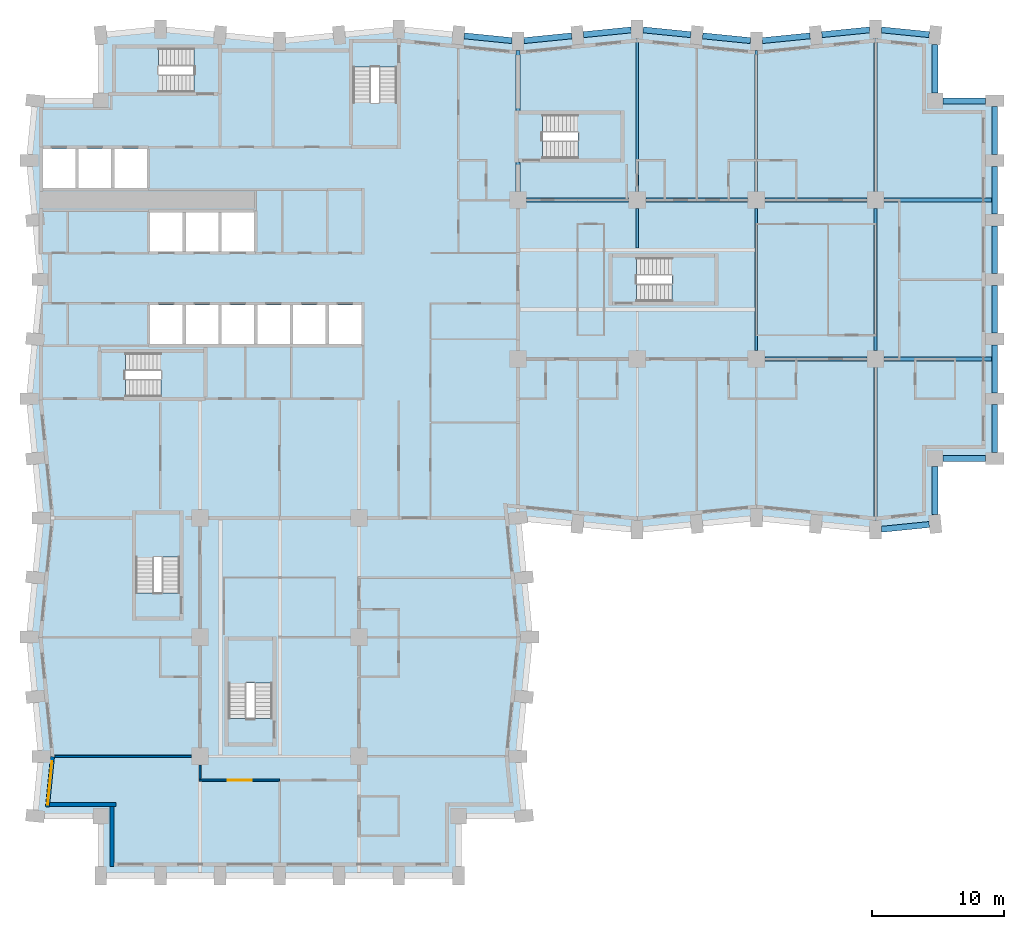
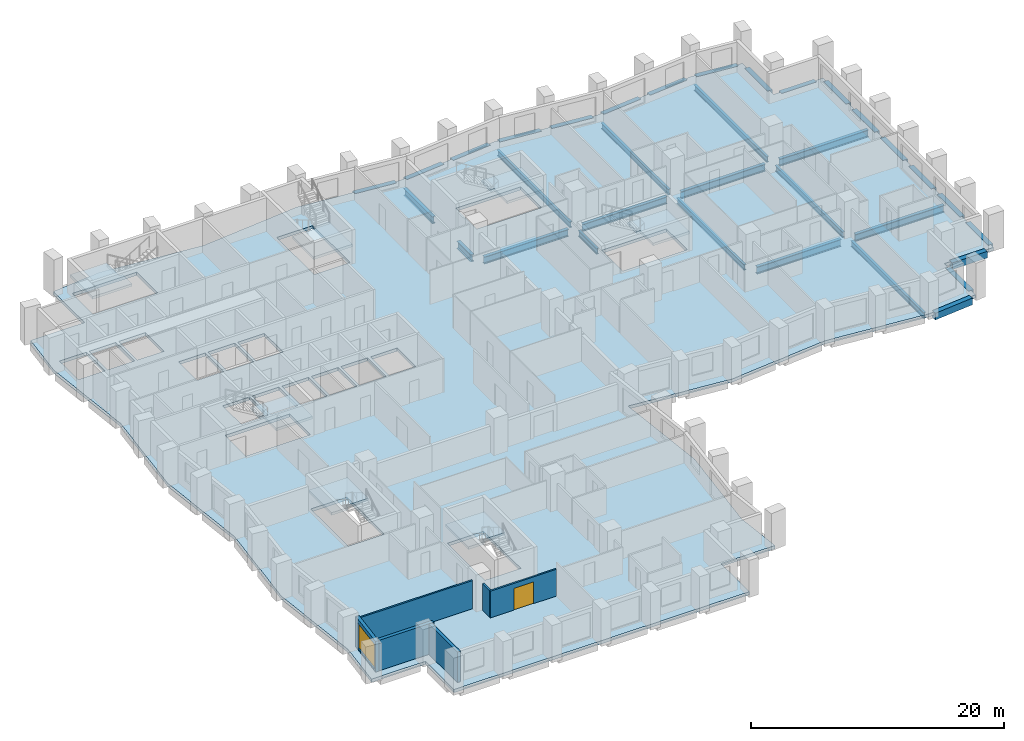
# One storey, part 2 of 12: 34 beams, 8 slabs, 6 walls, 1 door, 1 window, 2 openings, 7 elements without a shape of their own.
"""IFC4 building model written with IfcOpenShell, lengths in metres."""

from ifc_helpers import new_model, si_unit, direction, frame, frame_2d, origin, origin_2d, place, context, subcontext, project, spatial, polyline, rectangle, i_section, outline, extrude, material, layer, layer_set, material_profile, profile_set, type_object, element, fill, aggregate, save


model = new_model("IFC4")

# Units and contexts
model_context = context("Model", 3, precision=1e-05, world=origin(), true_north=direction((0.0, 1.0)))
body_context = subcontext(model_context, "Body", "Model", "MODEL_VIEW")
ifc_project = project(units=[si_unit("LENGTHUNIT", "METRE"), si_unit("AREAUNIT", "SQUARE_METRE"), si_unit("VOLUMEUNIT", "CUBIC_METRE"), si_unit("PLANEANGLEUNIT", "RADIAN"), si_unit("MASSUNIT", "GRAM", prefix="KILO")], contexts=[model_context])

# Site, building, storey
site_placement = place(None, origin())
site = spatial("IfcSite", under=ifc_project, at=site_placement, CompositionType="ELEMENT")
building_placement = place(site_placement, origin())
building = spatial("IfcBuilding", under=site, at=building_placement, Name="Brondeck Convention Tower", CompositionType="ELEMENT")
storey_placement = place(building_placement, frame((0.0, 0.0, 51.89990234375)))
storey = spatial("IfcBuildingStorey", under=building, at=storey_placement, Name="L10", CompositionType="ELEMENT", Elevation=51.89990234375)

# Beams
ifc_material_1 = material(Name="Steel S355", Category="steel")
ifc_material_profile_1 = material_profile(ifc_material_1, i_section(OverallWidth=0.2099609375, OverallDepth=0.550048828125, WebThickness=0.010986328125, FlangeThickness=0.01708984375, FilletRadius=0.02392578125, at=origin_2d()), Name="IPE 550")
ifc_profile_set_1 = profile_set([ifc_material_profile_1], Name="Steel S355")
beam_type_1 = type_object("IfcBeamType", Name="Floor beam IPE 550", PredefinedType="BEAM", material=ifc_profile_set_1)
beam_1_placement = place(storey_placement, frame((45.0, 51.64990234375, -0.574951171875), z_axis=(0.0, 1.0, 0.0), x_axis=(-1.0, 0.0, 0.0)))
element("IfcBeam", 1, at=beam_1_placement, inside=storey, type_object=beam_type_1, Name="STR-FB-L10-002", PredefinedType="BEAM", context=body_context, shape_type="SweptSolid", body=[
    extrude(i_section(OverallWidth=0.2099609375, OverallDepth=0.550048828125, WebThickness=0.010986328125, FlangeThickness=0.01708984375, FilletRadius=0.02392578125, at=origin_2d()), origin(), (0.0, 0.0, 1.0), 11.550048828125),
])
beam_2_placement = place(storey_placement, frame((54.0, 39.64990234375, -0.574951171875), z_axis=(0.0, 1.0, 0.0), x_axis=(-1.0, 0.0, 0.0)))
element("IfcBeam", 2, at=beam_2_placement, inside=storey, type_object=beam_type_1, Name="STR-FB-L10-004", PredefinedType="BEAM", context=body_context, shape_type="SweptSolid", body=[
    extrude(i_section(OverallWidth=0.2099609375, OverallDepth=0.550048828125, WebThickness=0.010986328125, FlangeThickness=0.01708984375, FilletRadius=0.02392578125, at=origin_2d()), origin(), (0.0, 0.0, 1.0), 10.7001953125),
])
beam_3_placement = place(storey_placement, frame((54.0, 51.64990234375, -0.574951171875), z_axis=(0.0, 1.0, 0.0), x_axis=(-1.0, 0.0, 0.0)))
element("IfcBeam", 3, at=beam_3_placement, inside=storey, type_object=beam_type_1, Name="STR-FB-L10-005", PredefinedType="BEAM", context=body_context, shape_type="SweptSolid", body=[
    extrude(i_section(OverallWidth=0.2099609375, OverallDepth=0.550048828125, WebThickness=0.010986328125, FlangeThickness=0.01708984375, FilletRadius=0.02392578125, at=origin_2d()), origin(), (0.0, 0.0, 1.0), 10.650146484375),
])
beam_4_placement = place(storey_placement, frame((63.0, 26.800048828125, -0.574951171875), z_axis=(0.0, 1.0, 0.0), x_axis=(-1.0, 0.0, 0.0)))
element("IfcBeam", 4, at=beam_4_placement, inside=storey, type_object=beam_type_1, Name="STR-FB-L10-006", PredefinedType="BEAM", context=body_context, shape_type="SweptSolid", body=[
    extrude(i_section(OverallWidth=0.2099609375, OverallDepth=0.550048828125, WebThickness=0.010986328125, FlangeThickness=0.01708984375, FilletRadius=0.02392578125, at=origin_2d()), origin(), (0.0, 0.0, 1.0), 11.550048828125),
])
beam_5_placement = place(storey_placement, frame((63.0, 39.64990234375, -0.574951171875), z_axis=(0.0, 1.0, 0.0), x_axis=(-1.0, 0.0, 0.0)))
element("IfcBeam", 5, at=beam_5_placement, inside=storey, type_object=beam_type_1, Name="STR-FB-L10-007", PredefinedType="BEAM", context=body_context, shape_type="SweptSolid", body=[
    extrude(i_section(OverallWidth=0.2099609375, OverallDepth=0.550048828125, WebThickness=0.010986328125, FlangeThickness=0.01708984375, FilletRadius=0.02392578125, at=origin_2d()), origin(), (0.0, 0.0, 1.0), 10.7001953125),
])
beam_6_placement = place(storey_placement, frame((63.0, 51.64990234375, -0.574951171875), z_axis=(0.0, 1.0, 0.0), x_axis=(-1.0, 0.0, 0.0)))
element("IfcBeam", 6, at=beam_6_placement, inside=storey, type_object=beam_type_1, Name="STR-FB-L10-008", PredefinedType="BEAM", context=body_context, shape_type="SweptSolid", body=[
    extrude(i_section(OverallWidth=0.2099609375, OverallDepth=0.550048828125, WebThickness=0.010986328125, FlangeThickness=0.01708984375, FilletRadius=0.02392578125, at=origin_2d()), origin(), (0.0, 0.0, 1.0), 11.550048828125),
])
beam_7_placement = place(storey_placement, frame((45.0, 47.39990234375, -0.574951171875), z_axis=(0.0, 1.0, 0.0), x_axis=(-1.0, 0.0, 0.0)))
element("IfcBeam", 7, at=beam_7_placement, inside=storey, type_object=beam_type_1, Name="STR-FB-L10-015", PredefinedType="BEAM", context=body_context, shape_type="SweptSolid", body=[
    extrude(i_section(OverallWidth=0.2099609375, OverallDepth=0.550048828125, WebThickness=0.010986328125, FlangeThickness=0.01708984375, FilletRadius=0.02392578125, at=origin_2d()), origin(), (0.0, 0.0, 1.0), 2.9501953125),
])
ifc_material_profile_2 = material_profile(ifc_material_1, i_section(OverallWidth=0.300048828125, OverallDepth=0.699951171875, WebThickness=0.01708984375, FlangeThickness=0.031982421875, FilletRadius=0.027099609375, at=origin_2d()), Name="HEB 700")
ifc_profile_set_2 = profile_set([ifc_material_profile_2], Name="Steel S355")
beam_type_2 = type_object("IfcBeamType", Name="Girder HEB 700", PredefinedType="BEAM", material=ifc_profile_set_2)
beam_8_placement = place(storey_placement, frame((54.64990234375, 39.0, -0.64990234375), z_axis=(1.0, 0.0, 0.0), x_axis=(0.0, 1.0, 0.0)))
element("IfcBeam", 8, at=beam_8_placement, inside=storey, type_object=beam_type_2, Name="STR-GR-L10-003", PredefinedType="BEAM", context=body_context, shape_type="SweptSolid", body=[
    extrude(i_section(OverallWidth=0.300048828125, OverallDepth=0.699951171875, WebThickness=0.01708984375, FlangeThickness=0.031982421875, FilletRadius=0.027099609375, at=origin_2d()), origin(), (0.0, 0.0, 1.0), 7.7001953125),
])
beam_9_placement = place(storey_placement, frame((63.64990234375, 39.0, -0.64990234375), z_axis=(1.0, 0.0, 0.0), x_axis=(0.0, 1.0, 0.0)))
element("IfcBeam", 9, at=beam_9_placement, inside=storey, type_object=beam_type_2, Name="STR-GR-L10-004", PredefinedType="BEAM", context=body_context, shape_type="SweptSolid", body=[
    extrude(i_section(OverallWidth=0.300048828125, OverallDepth=0.699951171875, WebThickness=0.01708984375, FlangeThickness=0.031982421875, FilletRadius=0.027099609375, at=origin_2d()), origin(), (0.0, 0.0, 1.0), 8.125),
])
for number, where, z_axis, x_axis, name in (
    (10, (36.64990234375, 51.0, -0.64990234375), (1.0, 0.0, 0.0), (0.0, 1.0, 0.0), "STR-GR-L10-005"),
    (11, (45.64990234375, 51.0, -0.64990234375), (1.0, 0.0, 0.0), (0.0, 1.0, 0.0), "STR-GR-L10-006"),
    (12, (54.64990234375, 51.0, -0.64990234375), (1.0, 0.0, 0.0), (0.0, 1.0, 0.0), "STR-GR-L10-007"),
):
    element("IfcBeam", number, at=place(storey_placement, frame(where, z_axis=z_axis, x_axis=x_axis)), inside=storey, type_object=beam_type_2, Name=name, PredefinedType="BEAM", context=body_context, shape_type="SweptSolid", body=[
        extrude(i_section(OverallWidth=0.300048828125, OverallDepth=0.699951171875, WebThickness=0.01708984375, FlangeThickness=0.031982421875, FilletRadius=0.027099609375, at=origin_2d()), origin(), (0.0, 0.0, 1.0), 7.7001953125),
    ])
beam_10_placement = place(storey_placement, frame((63.64990234375, 51.0, -0.64990234375), z_axis=(1.0, 0.0, 0.0), x_axis=(0.0, 1.0, 0.0)))
element("IfcBeam", 13, at=beam_10_placement, inside=storey, type_object=beam_type_2, Name="STR-GR-L10-008", PredefinedType="BEAM", context=body_context, shape_type="SweptSolid", body=[
    extrude(i_section(OverallWidth=0.300048828125, OverallDepth=0.699951171875, WebThickness=0.01708984375, FlangeThickness=0.031982421875, FilletRadius=0.027099609375, at=origin_2d()), origin(), (0.0, 0.0, 1.0), 8.125),
])
beam_11_placement = place(storey_placement, frame((36.0, 51.64990234375, -0.64990234375), z_axis=(0.0, 1.0, 0.0), x_axis=(-1.0, 0.0, 0.0)))
element("IfcBeam", 14, at=beam_11_placement, inside=storey, type_object=beam_type_2, Name="STR-GR-L10-011", PredefinedType="BEAM", context=body_context, shape_type="SweptSolid", body=[
    extrude(i_section(OverallWidth=0.300048828125, OverallDepth=0.699951171875, WebThickness=0.01708984375, FlangeThickness=0.031982421875, FilletRadius=0.027099609375, at=origin_2d()), origin(), (0.0, 0.0, 1.0), 2.22998046875),
])
beam_12_placement = place(storey_placement, frame((36.0, 57.719970703125, -0.64990234375), z_axis=(0.0, 1.0, 0.0), x_axis=(-1.0, 0.0, 0.0)))
element("IfcBeam", 15, at=beam_12_placement, inside=storey, type_object=beam_type_2, Name="STR-GR-L10-012", PredefinedType="BEAM", context=body_context, shape_type="SweptSolid", body=[
    extrude(i_section(OverallWidth=0.300048828125, OverallDepth=0.699951171875, WebThickness=0.01708984375, FlangeThickness=0.031982421875, FilletRadius=0.027099609375, at=origin_2d()), origin(), (0.0, 0.0, 1.0), 4.580078125),
])
ifc_material_2 = material(Name="Concrete C80/95", Category="concrete")
ifc_material_profile_3 = material_profile(ifc_material_2, rectangle(XDim=0.449951171875, YDim=0.64990234375, at=origin_2d()), Name="Precast spandrel 450x650 Concrete C80/95")
ifc_profile_set_3 = profile_set([ifc_material_profile_3], Name="Concrete C80/95")
beam_type_3 = type_object("IfcBeamType", Name="Precast spandrel 450x650 Concrete C80/95", PredefinedType="SPANDREL", material=ifc_profile_set_3)
beam_13_placement = place(storey_placement, frame((63.449951171875, 26.14501953125, -0.324951171875), z_axis=(0.995040528141, 0.099470334057, 0.0), x_axis=(-0.099470334057, 0.995040528141, 0.0)))
element("IfcBeam", 16, at=beam_13_placement, inside=storey, type_object=beam_type_3, Name="STR-SP-L10-020", PredefinedType="SPANDREL", context=body_context, shape_type="SweptSolid", body=[
    extrude(rectangle(XDim=0.449951171875, YDim=0.64990234375, at=origin_2d()), origin(), (0.0, 0.0, 1.0), 3.620361328125),
])
beam_14_placement = place(storey_placement, frame((67.5, 27.25341796875, -0.324951171875), z_axis=(0.0, 1.0, 0.0), x_axis=(-1.0, 0.0, 0.0)))
element("IfcBeam", 17, at=beam_14_placement, inside=storey, type_object=beam_type_3, Name="STR-SP-L10-021", PredefinedType="SPANDREL", context=body_context, shape_type="SweptSolid", body=[
    extrude(rectangle(XDim=0.449951171875, YDim=0.64990234375, at=origin_2d()), origin(), (0.0, 0.0, 1.0), 3.646484375),
])
beam_15_placement = place(storey_placement, frame((68.10009765625, 31.5, -0.324951171875), z_axis=(1.0, 0.0, 0.0), x_axis=(0.0, 1.0, 0.0)))
element("IfcBeam", 18, at=beam_15_placement, inside=storey, type_object=beam_type_3, Name="STR-SP-L10-022", PredefinedType="SPANDREL", context=body_context, shape_type="SweptSolid", body=[
    extrude(rectangle(XDim=0.449951171875, YDim=0.64990234375, at=origin_2d()), origin(), (0.0, 0.0, 1.0), 3.199951171875),
])
for number, where, z_axis, x_axis, name in (
    (19, (72.0, 31.949951171875, -0.324951171875), (0.0, 1.0, 0.0), (-1.0, 0.0, 0.0), "STR-SP-L10-023"),
    (20, (72.0, 36.449951171875, -0.324951171875), (0.0, 1.0, 0.0), (-1.0, 0.0, 0.0), "STR-SP-L10-024"),
    (21, (72.0, 40.949951171875, -0.324951171875), (0.0, 1.0, 0.0), (-1.0, 0.0, 0.0), "STR-SP-L10-025"),
    (22, (72.0, 45.449951171875, -0.324951171875), (0.0, 1.0, 0.0), (-1.0, 0.0, 0.0), "STR-SP-L10-026"),
    (23, (72.0, 49.949951171875, -0.324951171875), (0.0, 1.0, 0.0), (-1.0, 0.0, 0.0), "STR-SP-L10-027"),
    (24, (72.0, 54.449951171875, -0.324951171875), (0.0, 1.0, 0.0), (-1.0, 0.0, 0.0), "STR-SP-L10-028"),
):
    element("IfcBeam", number, at=place(storey_placement, frame(where, z_axis=z_axis, x_axis=x_axis)), inside=storey, type_object=beam_type_3, Name=name, PredefinedType="SPANDREL", context=body_context, shape_type="SweptSolid", body=[
        extrude(rectangle(XDim=0.449951171875, YDim=0.64990234375, at=origin_2d()), origin(), (0.0, 0.0, 1.0), 3.60009765625),
    ])
beam_16_placement = place(storey_placement, frame((71.300048828125, 58.5, -0.324951171875), z_axis=(-1.0, 0.0, 0.0), x_axis=(0.0, -1.0, 0.0)))
element("IfcBeam", 25, at=beam_16_placement, inside=storey, type_object=beam_type_3, Name="STR-SP-L10-029", PredefinedType="SPANDREL", context=body_context, shape_type="SweptSolid", body=[
    extrude(rectangle(XDim=0.449951171875, YDim=0.64990234375, at=origin_2d()), origin(), (0.0, 0.0, 1.0), 3.199951171875),
])
beam_17_placement = place(storey_placement, frame((67.5, 59.10009765625, -0.324951171875), z_axis=(0.0, 1.0, 0.0), x_axis=(-1.0, 0.0, 0.0)))
element("IfcBeam", 26, at=beam_17_placement, inside=storey, type_object=beam_type_3, Name="STR-SP-L10-030", PredefinedType="SPANDREL", context=body_context, shape_type="SweptSolid", body=[
    extrude(rectangle(XDim=0.449951171875, YDim=0.64990234375, at=origin_2d()), origin(), (0.0, 0.0, 1.0), 3.646484375),
])
for number, where, z_axis, x_axis, name in (
    (27, (67.05224609375, 63.494873046875, -0.324951171875), (-0.995040528141, 0.099470334057, 0.0), (-0.099470334057, -0.995040528141, 0.0), "STR-SP-L10-031"),
    (28, (62.550048828125, 63.85498046875, -0.324951171875), (-0.995040528141, -0.099470334057, 0.0), (0.099470334057, -0.995040528141, 0.0), "STR-SP-L10-032"),
    (29, (58.05224609375, 63.4052734375, -0.324951171875), (-0.995033851182, -0.099537103649, 0.0), (0.099537103649, -0.995033851182, 0.0), "STR-SP-L10-033"),
    (30, (53.550048828125, 63.044921875, -0.324951171875), (-0.995033851182, 0.099537103649, 0.0), (-0.099537103649, -0.995033851182, 0.0), "STR-SP-L10-034"),
    (31, (49.05224609375, 63.494873046875, -0.324951171875), (-0.995040528141, 0.099470334057, 0.0), (-0.099470334057, -0.995040528141, 0.0), "STR-SP-L10-035"),
    (32, (44.550048828125, 63.85498046875, -0.324951171875), (-0.995040528141, -0.099470334057, 0.0), (0.099470334057, -0.995040528141, 0.0), "STR-SP-L10-036"),
    (33, (40.05224609375, 63.4052734375, -0.324951171875), (-0.995033851182, -0.099537103649, 0.0), (0.099537103649, -0.995033851182, 0.0), "STR-SP-L10-037"),
    (34, (35.550048828125, 63.044921875, -0.324951171875), (-0.995033851182, 0.099537103649, 0.0), (-0.099537103649, -0.995033851182, 0.0), "STR-SP-L10-038"),
):
    element("IfcBeam", number, at=place(storey_placement, frame(where, z_axis=z_axis, x_axis=x_axis)), inside=storey, type_object=beam_type_3, Name=name, PredefinedType="SPANDREL", context=body_context, shape_type="SweptSolid", body=[
        extrude(rectangle(XDim=0.449951171875, YDim=0.64990234375, at=origin_2d()), origin(), (0.0, 0.0, 1.0), 3.620361328125),
    ])

# Slab
ifc_material_3 = material(Name="Concrete C35/45", Category="concrete")
ifc_layer_1 = layer(ifc_material_3, 0.300048828125)
ifc_layer_set_1 = layer_set([ifc_layer_1], Name="Composite floor slab 300")
slab_type_1 = type_object("IfcSlabType", Name="Composite floor slab 300", PredefinedType="FLOOR", material=ifc_layer_set_1)
slab_1_placement = place(storey_placement, frame((0.0, 0.0, -0.2998046875)))
element("IfcSlab", 35, at=slab_1_placement, inside=storey, type_object=slab_type_1, Name="STR-SL-L10", PredefinedType="FLOOR", context=body_context, shape_type="SweptSolid", body=[
    extrude(outline(polyline([(4.5, 4.5), (-0.449951171875, 4.5), (0.0, 9.0), (-0.89990234375, 18.0), (0.0, 27.0), (-0.89990234375, 36.0), (0.0, 45.0), (-0.89990234375, 54.0), (-0.449951171875, 58.5), (4.5, 58.5), (4.5, 63.449951171875), (9.0, 63.89990234375), (18.0, 63.0), (27.0, 63.89990234375), (36.0, 63.0), (45.0, 63.89990234375), (54.0, 63.0), (63.0, 63.89990234375), (67.5, 63.449951171875), (67.5, 58.5), (72.0, 58.5), (72.0, 31.5), (67.5, 31.5), (67.5, 26.550048828125), (63.0, 26.10009765625), (54.0, 27.0), (45.0, 26.10009765625), (36.0, 27.0), (36.89990234375, 18.0), (36.0, 9.0), (36.449951171875, 4.5), (31.5, 4.5), (31.5, 0.0), (4.5, 0.0), (4.5, 4.5)]), holes=[polyline([(10.447998046875, 27.248046875), (7.152099609375, 27.248046875), (7.152099609375, 21.35205078125), (10.447998046875, 21.35205078125), (10.447998046875, 27.248046875)]), polyline([(12.248046875, 36.152099609375), (12.248046875, 39.447998046875), (6.35205078125, 39.447998046875), (6.35205078125, 36.152099609375), (12.248046875, 36.152099609375)]), polyline([(10.675048828125, 40.125), (10.675048828125, 43.074951171875), (8.22509765625, 43.074951171875), (8.22509765625, 40.125), (10.675048828125, 40.125)]), polyline([(13.375, 40.125), (13.375, 43.074951171875), (10.925048828125, 43.074951171875), (10.925048828125, 40.125), (13.375, 40.125)]), polyline([(10.675048828125, 47.125), (10.675048828125, 50.074951171875), (8.22509765625, 50.074951171875), (8.22509765625, 47.125), (10.675048828125, 47.125)]), polyline([(13.375, 47.125), (13.375, 50.074951171875), (10.925048828125, 50.074951171875), (10.925048828125, 47.125), (13.375, 47.125)]), polyline([(2.574951171875, 51.925048828125), (2.574951171875, 54.875), (0.125, 54.875), (0.125, 51.925048828125), (2.574951171875, 51.925048828125)]), polyline([(2.824951171875, 51.925048828125), (5.27490234375, 51.925048828125), (5.27490234375, 54.875), (2.824951171875, 54.875), (2.824951171875, 51.925048828125)]), polyline([(5.52490234375, 51.925048828125), (7.97509765625, 51.925048828125), (7.97509765625, 54.875), (5.52490234375, 54.875), (5.52490234375, 51.925048828125)]), polyline([(5.652099609375, 62.447998046875), (5.652099609375, 59.152099609375), (11.548095703125, 59.152099609375), (11.548095703125, 62.447998046875), (5.652099609375, 62.447998046875)]), polyline([(17.447998046875, 17.748046875), (14.152099609375, 17.748046875), (14.152099609375, 11.85205078125), (17.447998046875, 11.85205078125), (17.447998046875, 17.748046875)]), polyline([(16.074951171875, 40.125), (16.074951171875, 43.074951171875), (13.625, 43.074951171875), (13.625, 40.125), (16.074951171875, 40.125)]), polyline([(16.324951171875, 40.125), (18.77490234375, 40.125), (18.77490234375, 43.074951171875), (16.324951171875, 43.074951171875), (16.324951171875, 40.125)]), polyline([(19.02490234375, 40.125), (21.47509765625, 40.125), (21.47509765625, 43.074951171875), (19.02490234375, 43.074951171875), (19.02490234375, 40.125)]), polyline([(24.175048828125, 40.125), (24.175048828125, 43.074951171875), (21.72509765625, 43.074951171875), (21.72509765625, 40.125), (24.175048828125, 40.125)]), polyline([(50.847900390625, 43.35205078125), (50.847900390625, 46.64794921875), (44.951904296875, 46.64794921875), (44.951904296875, 43.35205078125), (50.847900390625, 43.35205078125)]), polyline([(16.074951171875, 47.125), (16.074951171875, 50.074951171875), (13.625, 50.074951171875), (13.625, 47.125), (16.074951171875, 47.125)]), polyline([(37.85205078125, 54.152099609375), (43.748046875, 54.152099609375), (43.748046875, 57.447998046875), (37.85205078125, 57.447998046875), (37.85205078125, 54.152099609375)]), polyline([(23.552001953125, 61.048095703125), (23.552001953125, 55.152099609375), (26.847900390625, 55.152099609375), (26.847900390625, 61.048095703125), (23.552001953125, 61.048095703125)])]), origin(), (0.0, 0.0, 1.0), 0.2998046875),
])

# Stair, slab
ifc_material_4 = material(Name="Precast concrete C50/60", Category="concrete")
stair_type = type_object("IfcStairType", Name="Core stair 20 risers 180.00 mm riser 300 mm going 1350 wide", PredefinedType="HALF_TURN_STAIR", material=ifc_material_4)
stair_1_placement = place(storey_placement, origin())
stair_1 = element("IfcStair", 36, at=stair_1_placement, inside=storey, type_object=stair_type, Name="ST-1 L10 stair", PredefinedType="HALF_TURN_STAIR")
ifc_layer_2 = layer(ifc_material_4, 0.25)
ifc_layer_set_2 = layer_set([ifc_layer_2], Name="Core stair landing 250 Precast concrete C50/60")
slab_type_2 = type_object("IfcSlabType", Name="Core stair landing 250 Precast concrete C50/60", PredefinedType="LANDING", material=ifc_layer_set_2)
slab_2_placement = place(storey_placement, frame((0.0, 0.0, 1.550048828125)))
slab_2 = element("IfcSlab", 37, at=slab_2_placement, type_object=slab_type_2, Name="ST-1 landing 1", PredefinedType="LANDING", context=body_context, shape_type="SweptSolid", body=[
    extrude(outline(polyline([(9.048095703125, 37.5), (9.050048828125, 37.5), (9.050048828125, 38.10009765625), (8.75, 38.10009765625), (8.75, 39.570068359375), (12.3701171875, 39.570068359375), (12.3701171875, 36.030029296875), (9.048095703125, 36.030029296875), (9.048095703125, 37.5)])), origin(), (0.0, 0.0, 1.0), 0.25),
])
aggregate(stair_1, [slab_2])

stair_2_placement = place(storey_placement, origin())
stair_2 = element("IfcStair", 38, at=stair_2_placement, inside=storey, type_object=stair_type, Name="ST-2 L10 stair", PredefinedType="HALF_TURN_STAIR")
slab_3_placement = place(storey_placement, frame((0.0, 0.0, 1.550048828125)))
slab_3 = element("IfcSlab", 39, at=slab_3_placement, type_object=slab_type_2, Name="ST-2 landing 1", PredefinedType="LANDING", context=body_context, shape_type="SweptSolid", body=[
    extrude(outline(polyline([(23.429931640625, 58.35205078125), (24.89990234375, 58.35205078125), (24.89990234375, 58.35009765625), (25.5, 58.35009765625), (25.5, 58.64990234375), (26.969970703125, 58.64990234375), (26.969970703125, 55.030029296875), (23.429931640625, 55.030029296875), (23.429931640625, 58.35205078125)])), origin(), (0.0, 0.0, 1.0), 0.25),
])
aggregate(stair_2, [slab_3])

stair_3_placement = place(storey_placement, origin())
stair_3 = element("IfcStair", 40, at=stair_3_placement, inside=storey, type_object=stair_type, Name="ST-3 L10 stair", PredefinedType="HALF_TURN_STAIR")
slab_4_placement = place(storey_placement, frame((0.0, 0.0, 1.550048828125)))
slab_4 = element("IfcSlab", 41, at=slab_4_placement, type_object=slab_type_2, Name="ST-3 landing 1", PredefinedType="LANDING", context=body_context, shape_type="SweptSolid", body=[
    extrude(outline(polyline([(9.14990234375, 60.5), (9.14990234375, 59.030029296875), (5.530029296875, 59.030029296875), (5.530029296875, 62.570068359375), (8.85205078125, 62.570068359375), (8.85205078125, 61.10009765625), (8.85009765625, 61.10009765625), (8.85009765625, 60.5), (9.14990234375, 60.5)])), origin(), (0.0, 0.0, 1.0), 0.25),
])
aggregate(stair_3, [slab_4])

stair_4_placement = place(storey_placement, origin())
stair_4 = element("IfcStair", 42, at=stair_4_placement, inside=storey, type_object=stair_type, Name="ST-AE L10 stair", PredefinedType="HALF_TURN_STAIR")
slab_5_placement = place(storey_placement, frame((0.0, 0.0, 1.550048828125)))
slab_5 = element("IfcSlab", 43, at=slab_5_placement, type_object=slab_type_2, Name="ST-AE landing 1", PredefinedType="LANDING", context=body_context, shape_type="SweptSolid", body=[
    extrude(outline(polyline([(40.548095703125, 55.5), (40.550048828125, 55.5), (40.550048828125, 56.10009765625), (40.25, 56.10009765625), (40.25, 57.570068359375), (43.8701171875, 57.570068359375), (43.8701171875, 54.030029296875), (40.548095703125, 54.030029296875), (40.548095703125, 55.5)])), origin(), (0.0, 0.0, 1.0), 0.25),
])
aggregate(stair_4, [slab_5])

stair_5_placement = place(storey_placement, origin())
stair_5 = element("IfcStair", 44, at=stair_5_placement, inside=storey, type_object=stair_type, Name="ST-BE L10 stair", PredefinedType="HALF_TURN_STAIR")
slab_6_placement = place(storey_placement, frame((0.0, 0.0, 1.550048828125)))
slab_6 = element("IfcSlab", 45, at=slab_6_placement, type_object=slab_type_2, Name="ST-BE landing 1", PredefinedType="LANDING", context=body_context, shape_type="SweptSolid", body=[
    extrude(outline(polyline([(7.030029296875, 23.75), (7.030029296875, 27.3701171875), (10.570068359375, 27.3701171875), (10.570068359375, 24.048095703125), (9.10009765625, 24.048095703125), (9.10009765625, 24.050048828125), (8.5, 24.050048828125), (8.5, 23.75), (7.030029296875, 23.75)])), origin(), (0.0, 0.0, 1.0), 0.25),
])
aggregate(stair_5, [slab_6])

stair_6_placement = place(storey_placement, origin())
stair_6 = element("IfcStair", 46, at=stair_6_placement, inside=storey, type_object=stair_type, Name="ST-AF L10 stair", PredefinedType="HALF_TURN_STAIR")
slab_7_placement = place(storey_placement, frame((0.0, 0.0, 1.550048828125)))
slab_7 = element("IfcSlab", 47, at=slab_7_placement, type_object=slab_type_2, Name="ST-AF landing 1", PredefinedType="LANDING", context=body_context, shape_type="SweptSolid", body=[
    extrude(outline(polyline([(47.64794921875, 44.699951171875), (47.64990234375, 44.699951171875), (47.64990234375, 45.300048828125), (47.35009765625, 45.300048828125), (47.35009765625, 46.77001953125), (50.969970703125, 46.77001953125), (50.969970703125, 43.22998046875), (47.64794921875, 43.22998046875), (47.64794921875, 44.699951171875)])), origin(), (0.0, 0.0, 1.0), 0.25),
])
aggregate(stair_6, [slab_7])

stair_7_placement = place(storey_placement, origin())
stair_7 = element("IfcStair", 48, at=stair_7_placement, inside=storey, type_object=stair_type, Name="ST-BF L10 stair", PredefinedType="HALF_TURN_STAIR")
slab_8_placement = place(storey_placement, frame((0.0, 0.0, 1.550048828125)))
slab_8 = element("IfcSlab", 49, at=slab_8_placement, type_object=slab_type_2, Name="ST-BF landing 1", PredefinedType="LANDING", context=body_context, shape_type="SweptSolid", body=[
    extrude(outline(polyline([(14.030029296875, 14.25), (14.030029296875, 17.8701171875), (17.570068359375, 17.8701171875), (17.570068359375, 14.548095703125), (16.10009765625, 14.548095703125), (16.10009765625, 14.550048828125), (15.5, 14.550048828125), (15.5, 14.25), (14.030029296875, 14.25)])), origin(), (0.0, 0.0, 1.0), 0.25),
])
aggregate(stair_7, [slab_8])

# Wall, opening, window
ifc_material_5 = material(Name="Precast concrete C50/60 bronze finish", Category="concrete")
ifc_layer_3 = layer(ifc_material_5, 0.070068359375, Name="Bronze precast facing")
ifc_material_6 = material(Name="Mineral wool")
ifc_layer_4 = layer(ifc_material_6, 0.159912109375, Name="Insulation")
ifc_layer_5 = layer(ifc_material_3, 0.070068359375, Name="Backing")
ifc_layer_set_3 = layer_set([ifc_layer_3, ifc_layer_4, ifc_layer_5], Name="External infill wall, precast concrete C50/60 bronze facing")
wall_type_1 = type_object("IfcWallType", Name="External infill wall, precast concrete C50/60 bronze facing", PredefinedType="SOLIDWALL", material=ifc_layer_set_3)
wall_1_placement = place(storey_placement, frame((0.47265625, 5.18505859375, 0.0), z_axis=(0.0, 0.0, 1.0), x_axis=(0.099541845169, 0.995033376857, 0.0)))
wall_1 = element("IfcWall", 50, at=wall_1_placement, inside=storey, type_object=wall_type_1, Name="ENV-EW-L10-P0-B-W-12", PredefinedType="SOLIDWALL", context=body_context, shape_type="SweptSolid", body=[
    extrude(rectangle(XDim=3.803955078125, YDim=0.300048828125, at=frame_2d((1.90185546875, 0.0))), origin(), (0.0, 0.0, 1.0), 2.9501953125),
])
opening_1_placement = place(wall_1_placement, frame((0.14990234375, 0.0, 0.14990234375)))
opening_1 = element("IfcOpeningElement", 51, at=opening_1_placement, cuts=wall_1, Name="Opening W9", PredefinedType="OPENING", context=body_context, shape_type="SweptSolid", body=[
    extrude(rectangle(XDim=3.300048828125, YDim=2.39990234375, at=frame_2d((1.64990234375, 1.199951171875))), frame((0.0, 0.159912109375, 0.0), z_axis=(0.0, -1.0, 0.0), x_axis=(1.0, 0.0, 0.0)), (0.0, 0.0, 1.0), 0.320068359375),
])
ifc_material_7 = material(Name="Bronze tinted double glazing", Category="glass")
window_type = type_object("IfcWindowType", Name="Glazed flute window, bronze tinted", PartitioningType="SINGLE_PANEL", PredefinedType="WINDOW", material=ifc_material_7)
window_placement = place(opening_1_placement, origin())
window = element("IfcWindow", 52, at=window_placement, inside=storey, type_object=window_type, Name="ENV-WN-L10-P0-B-W-12", OverallHeight=2.39990234375, OverallWidth=3.300048828125, PartitioningType="SINGLE_PANEL", PredefinedType="WINDOW", context=body_context, shape_type="SweptSolid", body=[
    extrude(rectangle(XDim=3.300048828125, YDim=2.39990234375, at=frame_2d((1.64990234375, 1.199951171875))), frame((0.0, 0.030029296875, 0.0), z_axis=(0.0, -1.0, 0.0), x_axis=(1.0, 0.0, 0.0)), (0.0, 0.0, 1.0), 0.06005859375),
])
fill(opening_1, window)

# Walls
wall_2_placement = place(storey_placement, frame((5.64990234375, 5.35009765625, 0.0), z_axis=(0.0, 0.0, 1.0), x_axis=(-1.0, 0.0, 0.0)))
element("IfcWall", 53, at=wall_2_placement, inside=storey, type_object=wall_type_1, Name="ENV-EW-L10-P0-NC-SWB0-01", PredefinedType="SOLIDWALL", context=body_context, shape_type="SweptSolid", body=[
    extrude(rectangle(XDim=5.004638671875, YDim=0.300048828125, at=frame_2d((2.50244140625, 0.0))), origin(), (0.0, 0.0, 1.0), 2.9501953125),
])
wall_3_placement = place(storey_placement, frame((5.35009765625, 0.699951171875, 0.0), z_axis=(0.0, 0.0, 1.0), x_axis=(0.0, 1.0, 0.0)))
element("IfcWall", 54, at=wall_3_placement, inside=storey, type_object=wall_type_1, Name="ENV-EW-L10-P0-NC-SWB0-02", PredefinedType="SOLIDWALL", context=body_context, shape_type="SweptSolid", body=[
    extrude(rectangle(XDim=4.5, YDim=0.300048828125, at=frame_2d((2.25, 0.0))), origin(), (0.0, 0.0, 1.0), 2.9501953125),
])

# Wall, opening, door
ifc_material_8 = material(Name="Double gypsum board acoustic wall")
ifc_layer_6 = layer(ifc_material_8, 0.14990234375)
ifc_layer_set_4 = layer_set([ifc_layer_6], Name="Guest room party wall 150")
wall_type_2 = type_object("IfcWallType", Name="Guest room party wall 150", PredefinedType="PARTITIONING", material=ifc_layer_set_4)
wall_4_placement = place(storey_placement, frame((18.0, 7.199951171875, 0.0), z_axis=(0.0, 0.0, 1.0), x_axis=(-1.0, 0.0, 0.0)))
wall_4 = element("IfcWall", 55, at=wall_4_placement, inside=storey, type_object=wall_type_2, Name="FLR-L10-W006", PredefinedType="PARTITIONING", context=body_context, shape_type="SweptSolid", body=[
    extrude(rectangle(XDim=6.074951171875, YDim=0.14990234375, at=frame_2d((3.03759765625, 0.0))), origin(), (0.0, 0.0, 1.0), 2.580078125),
])
opening_2_placement = place(wall_4_placement, frame((2.10009765625, 0.0, 0.0)))
opening_2 = element("IfcOpeningElement", 56, at=opening_2_placement, cuts=wall_4, Name="Opening H2-030", PredefinedType="OPENING", context=body_context, shape_type="SweptSolid", body=[
    extrude(rectangle(XDim=1.800048828125, YDim=2.10009765625, at=frame_2d((0.89990234375, 1.050048828125))), frame((0.0, 0.0849609375, 0.0), z_axis=(0.0, -1.0, 0.0), x_axis=(1.0, 0.0, 0.0)), (0.0, 0.0, 1.0), 0.169921875),
])
ifc_material_9 = material(Name="Glazed timber double door", Category="wood")
door_type = type_object("IfcDoorType", Name="Double door 1800", OperationType="DOUBLE_DOOR_SINGLE_SWING", PredefinedType="DOOR", material=ifc_material_9)
door_placement = place(opening_2_placement, origin())
door = element("IfcDoor", 57, at=door_placement, inside=storey, type_object=door_type, Name="Door H2-030", OperationType="DOUBLE_DOOR_SINGLE_SWING", OverallHeight=2.10009765625, OverallWidth=1.800048828125, PredefinedType="DOOR", context=body_context, shape_type="SweptSolid", body=[
    extrude(rectangle(XDim=1.800048828125, YDim=2.10009765625, at=frame_2d((0.89990234375, 1.050048828125))), frame((0.0, 0.02490234375, 0.0), z_axis=(0.0, -1.0, 0.0), x_axis=(1.0, 0.0, 0.0)), (0.0, 0.0, 1.0), 0.050048828125),
])
fill(opening_2, door)

# Walls
wall_5_placement = place(storey_placement, frame((12.0, 7.27490234375, 0.0), z_axis=(0.0, 0.0, 1.0), x_axis=(0.0, 1.0, 0.0)))
element("IfcWall", 58, at=wall_5_placement, inside=storey, type_object=wall_type_2, Name="FLR-L10-W008", PredefinedType="PARTITIONING", context=body_context, shape_type="SweptSolid", body=[
    extrude(rectangle(XDim=1.070068359375, YDim=0.14990234375, at=frame_2d((0.53515625, 0.0))), origin(), (0.0, 0.0, 1.0), 2.580078125),
])
wall_6_placement = place(storey_placement, frame((11.344970703125, 9.0, 0.0), z_axis=(0.0, 0.0, 1.0), x_axis=(-1.0, 0.0, 0.0)))
element("IfcWall", 59, at=wall_6_placement, inside=storey, type_object=wall_type_2, Name="FLR-L10-W010", PredefinedType="PARTITIONING", context=body_context, shape_type="SweptSolid", body=[
    extrude(rectangle(XDim=10.320068359375, YDim=0.14990234375, at=frame_2d((5.16015625, 0.0))), origin(), (0.0, 0.0, 1.0), 2.72998046875),
])

save(model, "model.ifc")
